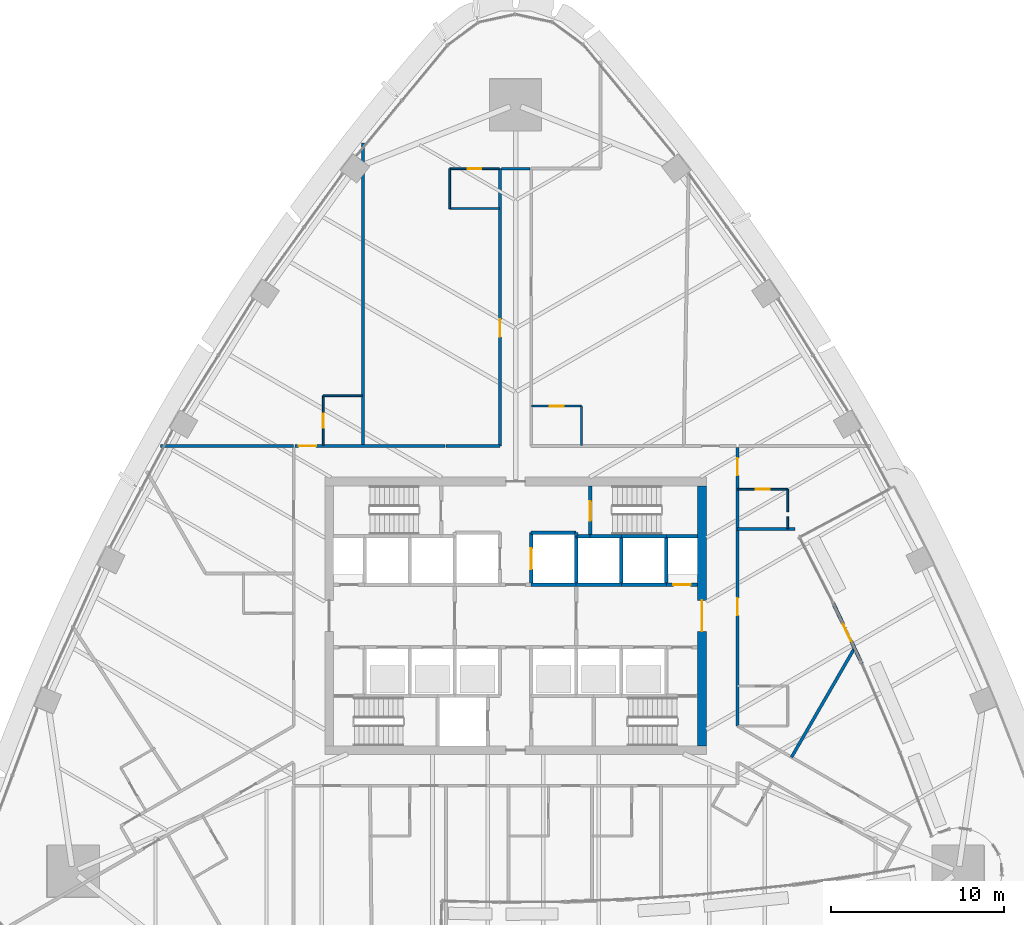
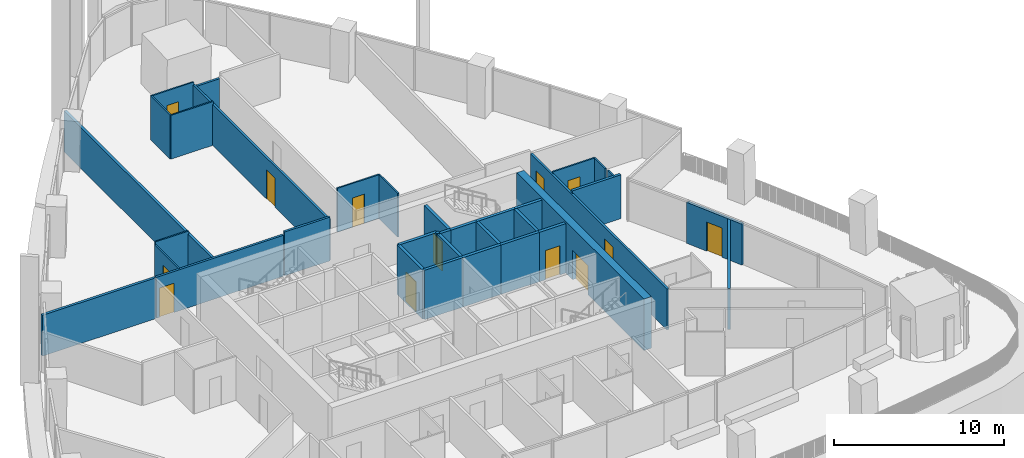
# One storey, part 14 of 22: 36 walls, 13 doors, 13 openings.
"""IFC4 building model written with IfcOpenShell, lengths in metres."""

from ifc_helpers import new_model, si_unit, direction, frame, frame_2d, origin, place, context, subcontext, project, spatial, rectangle, extrude, material, layer, layer_set, type_object, element, fill, save


model = new_model("IFC4")

# Units and contexts
model_context = context("Model", 3, precision=1e-05, world=origin(), true_north=direction((0.0, 1.0)))
body_context = subcontext(model_context, "Body", "Model", "MODEL_VIEW")
ifc_project = project(units=[si_unit("LENGTHUNIT", "METRE"), si_unit("AREAUNIT", "SQUARE_METRE"), si_unit("VOLUMEUNIT", "CUBIC_METRE"), si_unit("PLANEANGLEUNIT", "RADIAN"), si_unit("MASSUNIT", "GRAM", prefix="KILO")], contexts=[model_context])

# Site, building, storey
site_placement = place(None, origin())
site = spatial("IfcSite", under=ifc_project, at=site_placement, CompositionType="ELEMENT")
building_placement = place(site_placement, origin())
building = spatial("IfcBuilding", under=site, at=building_placement, Name="Sierra Prisma Convention Tower", CompositionType="ELEMENT")
storey_placement = place(building_placement, frame((0.0, 0.0, 103.5)))
storey = spatial("IfcBuildingStorey", under=building, at=storey_placement, Name="L22", CompositionType="ELEMENT", Elevation=103.5)

# Wall, opening, door
ifc_material_1 = material(Name="Gypsum board partition", Category="gypsum")
ifc_layer_1 = layer(ifc_material_1, 0.10009765625)
ifc_layer_set_1 = layer_set([ifc_layer_1], Name="Bathroom partition 100")
wall_type_1 = type_object("IfcWallType", Name="Bathroom partition 100", PredefinedType="PARTITIONING", material=ifc_layer_set_1)
wall_1_placement = place(storey_placement, frame((-11.10009765625, 9.830078125, 0.0), z_axis=(0.0, 0.0, 1.0), x_axis=(0.0, 1.0, 0.0)))
wall_1 = element("IfcWall", 1, at=wall_1_placement, inside=storey, type_object=wall_type_1, Name="Partition L22 bath 7", PredefinedType="PARTITIONING", context=body_context, shape_type="SweptSolid", body=[
    extrude(rectangle(XDim=2.869873046875, YDim=0.10009765625, at=frame_2d((1.43505859375, 0.0))), origin(), (0.0, 0.0, 1.0), 2.947021484375),
])
opening_1_placement = place(wall_1_placement, frame((1.034912109375, 0.0, 0.0)))
opening_1 = element("IfcOpeningElement", 2, at=opening_1_placement, cuts=wall_1, Name="Opening L22-D007", PredefinedType="OPENING", context=body_context, shape_type="SweptSolid", body=[
    extrude(rectangle(XDim=0.800048828125, YDim=2.10009765625, at=frame_2d((0.39990234375, 1.050048828125))), frame((0.0, 0.050048828125, 0.0), z_axis=(0.0, -1.0, 0.0), x_axis=(1.0, 0.0, 0.0)), (0.0, 0.0, 1.0), 0.10009765625),
])
ifc_material_2 = material(Name="Solid core timber door leaf", Category="wood")
door_type_1 = type_object("IfcDoorType", Name="Door 800x2100 plain", OperationType="SINGLE_SWING_LEFT", PredefinedType="DOOR", material=ifc_material_2)
door_1_placement = place(opening_1_placement, origin())
door_1 = element("IfcDoor", 3, at=door_1_placement, inside=storey, type_object=door_type_1, Name="Door L22 9", OperationType="SINGLE_SWING_RIGHT", OverallHeight=2.10009765625, OverallWidth=0.800048828125, PredefinedType="DOOR", context=body_context, shape_type="SweptSolid", body=[
    extrude(rectangle(XDim=0.800048828125, YDim=2.10009765625, at=frame_2d((0.39990234375, 1.050048828125))), frame((0.0, 0.02490234375, 0.0), z_axis=(0.0, -1.0, 0.0), x_axis=(1.0, 0.0, 0.0)), (0.0, 0.0, 1.0), 0.050048828125),
])
fill(opening_1, door_1)

# Walls
wall_2_placement = place(storey_placement, frame((-11.10009765625, 12.699951171875, 0.0), z_axis=(0.0, 0.0, 1.0), x_axis=(1.0, 0.0, 0.0)))
element("IfcWall", 4, at=wall_2_placement, inside=storey, type_object=wall_type_1, Name="Partition L22 bath 8", PredefinedType="PARTITIONING", context=body_context, shape_type="SweptSolid", body=[
    extrude(rectangle(XDim=2.27001953125, YDim=0.10009765625, at=frame_2d((1.135009765625, 0.0))), origin(), (0.0, 0.0, 1.0), 3.14990234375),
])
wall_3_placement = place(storey_placement, frame((-0.929931640625, 23.49853515625, 0.0), z_axis=(0.0, 0.0, 1.0), x_axis=(-1.0, 0.0, 0.0)))
element("IfcWall", 5, at=wall_3_placement, inside=storey, type_object=wall_type_1, Name="Partition L22 bath 11", PredefinedType="PARTITIONING", context=body_context, shape_type="SweptSolid", body=[
    extrude(rectangle(XDim=2.8701171875, YDim=0.10009765625, at=frame_2d((1.43505859375, 0.0))), origin(), (0.0, 0.0, 1.0), 3.14990234375),
])
wall_4_placement = place(storey_placement, frame((-3.800048828125, 23.49853515625, 0.0), z_axis=(0.0, 0.0, 1.0), x_axis=(0.0, 1.0, 0.0)))
element("IfcWall", 6, at=wall_4_placement, inside=storey, type_object=wall_type_1, Name="Partition L22 bath 12", PredefinedType="PARTITIONING", context=body_context, shape_type="SweptSolid", body=[
    extrude(rectangle(XDim=2.300048828125, YDim=0.10009765625, at=frame_2d((1.14990234375, 0.0))), origin(), (0.0, 0.0, 1.0), 3.14990234375),
])

# Wall, opening, door
wall_5_placement = place(storey_placement, frame((-3.800048828125, 25.798583984375, 0.0), z_axis=(0.0, 0.0, 1.0), x_axis=(1.0, 0.0, 0.0)))
wall_5 = element("IfcWall", 7, at=wall_5_placement, inside=storey, type_object=wall_type_1, Name="Partition L22 bath 13", PredefinedType="PARTITIONING", context=body_context, shape_type="SweptSolid", body=[
    extrude(rectangle(XDim=2.8701171875, YDim=0.10009765625, at=frame_2d((1.43505859375, 0.0))), origin(), (0.0, 0.0, 1.0), 3.14990234375),
])
opening_2_placement = place(wall_5_placement, frame((1.034912109375, 0.0, 0.0)))
opening_2 = element("IfcOpeningElement", 8, at=opening_2_placement, cuts=wall_5, Name="Opening L22-D006", PredefinedType="OPENING", context=body_context, shape_type="SweptSolid", body=[
    extrude(rectangle(XDim=0.800048828125, YDim=2.10009765625, at=frame_2d((0.39990234375, 1.050048828125))), frame((0.0, 0.050048828125, 0.0), z_axis=(0.0, -1.0, 0.0), x_axis=(1.0, 0.0, 0.0)), (0.0, 0.0, 1.0), 0.10009765625),
])
door_2_placement = place(opening_2_placement, origin())
door_2 = element("IfcDoor", 9, at=door_2_placement, inside=storey, type_object=door_type_1, Name="Door L22 7", OperationType="SINGLE_SWING_LEFT", OverallHeight=2.10009765625, OverallWidth=0.800048828125, PredefinedType="DOOR", context=body_context, shape_type="SweptSolid", body=[
    extrude(rectangle(XDim=0.800048828125, YDim=2.10009765625, at=frame_2d((0.39990234375, 1.050048828125))), frame((0.0, 0.02490234375, 0.0), z_axis=(0.0, -1.0, 0.0), x_axis=(1.0, 0.0, 0.0)), (0.0, 0.0, 1.0), 0.050048828125),
])
fill(opening_2, door_2)

wall_6_placement = place(storey_placement, frame((0.929931640625, 12.10009765625, 0.0), z_axis=(0.0, 0.0, 1.0), x_axis=(1.0, 0.0, 0.0)))
wall_6 = element("IfcWall", 10, at=wall_6_placement, inside=storey, type_object=wall_type_1, Name="Partition L22 bath 16", PredefinedType="PARTITIONING", context=body_context, shape_type="SweptSolid", body=[
    extrude(rectangle(XDim=2.8701171875, YDim=0.10009765625, at=frame_2d((1.43505859375, 0.0))), origin(), (0.0, 0.0, 1.0), 3.14990234375),
])
opening_3_placement = place(wall_6_placement, frame((1.034912109375, 0.0, 0.0)))
opening_3 = element("IfcOpeningElement", 11, at=opening_3_placement, cuts=wall_6, Name="Opening L22-D005", PredefinedType="OPENING", context=body_context, shape_type="SweptSolid", body=[
    extrude(rectangle(XDim=0.800048828125, YDim=2.10009765625, at=frame_2d((0.39990234375, 1.050048828125))), frame((0.0, 0.050048828125, 0.0), z_axis=(0.0, -1.0, 0.0), x_axis=(1.0, 0.0, 0.0)), (0.0, 0.0, 1.0), 0.10009765625),
])
door_3_placement = place(opening_3_placement, origin())
door_3 = element("IfcDoor", 12, at=door_3_placement, inside=storey, type_object=door_type_1, Name="Door L22 5", OperationType="SINGLE_SWING_RIGHT", OverallHeight=2.10009765625, OverallWidth=0.800048828125, PredefinedType="DOOR", context=body_context, shape_type="SweptSolid", body=[
    extrude(rectangle(XDim=0.800048828125, YDim=2.10009765625, at=frame_2d((0.39990234375, 1.050048828125))), frame((0.0, 0.02490234375, 0.0), z_axis=(0.0, -1.0, 0.0), x_axis=(1.0, 0.0, 0.0)), (0.0, 0.0, 1.0), 0.050048828125),
])
fill(opening_3, door_3)

# Wall
wall_7_placement = place(storey_placement, frame((3.800048828125, 12.10009765625, 0.0), z_axis=(0.0, 0.0, 1.0), x_axis=(0.0, -1.0, 0.0)))
element("IfcWall", 13, at=wall_7_placement, inside=storey, type_object=wall_type_1, Name="Partition L22 bath 17", PredefinedType="PARTITIONING", context=body_context, shape_type="SweptSolid", body=[
    extrude(rectangle(XDim=2.27001953125, YDim=0.10009765625, at=frame_2d((1.135009765625, 0.0))), origin(), (0.0, 0.0, 1.0), 3.14990234375),
])

# Wall, opening, door
wall_8_placement = place(storey_placement, frame((12.830078125, 7.300048828125, 0.0), z_axis=(0.0, 0.0, 1.0), x_axis=(1.0, 0.0, 0.0)))
wall_8 = element("IfcWall", 14, at=wall_8_placement, inside=storey, type_object=wall_type_1, Name="Partition L22 bath 26", PredefinedType="PARTITIONING", context=body_context, shape_type="SweptSolid", body=[
    extrude(rectangle(XDim=2.869873046875, YDim=0.10009765625, at=frame_2d((1.43505859375, 0.0))), origin(), (0.0, 0.0, 1.0), 3.093017578125),
])
opening_4_placement = place(wall_8_placement, frame((1.034912109375, 0.0, 0.0)))
opening_4 = element("IfcOpeningElement", 15, at=opening_4_placement, cuts=wall_8, Name="Opening L22-D004", PredefinedType="OPENING", context=body_context, shape_type="SweptSolid", body=[
    extrude(rectangle(XDim=0.800048828125, YDim=2.10009765625, at=frame_2d((0.39990234375, 1.050048828125))), frame((0.0, 0.050048828125, 0.0), z_axis=(0.0, -1.0, 0.0), x_axis=(1.0, 0.0, 0.0)), (0.0, 0.0, 1.0), 0.10009765625),
])
door_4_placement = place(opening_4_placement, origin())
door_4 = element("IfcDoor", 16, at=door_4_placement, inside=storey, type_object=door_type_1, Name="Door L22 2", OperationType="SINGLE_SWING_LEFT", OverallHeight=2.10009765625, OverallWidth=0.800048828125, PredefinedType="DOOR", context=body_context, shape_type="SweptSolid", body=[
    extrude(rectangle(XDim=0.800048828125, YDim=2.10009765625, at=frame_2d((0.39990234375, 1.050048828125))), frame((0.0, 0.02490234375, 0.0), z_axis=(0.0, -1.0, 0.0), x_axis=(1.0, 0.0, 0.0)), (0.0, 0.0, 1.0), 0.050048828125),
])
fill(opening_4, door_4)

# Walls
wall_9_placement = place(storey_placement, frame((15.699951171875, 7.300048828125, 0.0), z_axis=(0.0, 0.0, 1.0), x_axis=(0.0, -1.0, 0.0)))
element("IfcWall", 17, at=wall_9_placement, inside=storey, type_object=wall_type_1, Name="Partition L22 bath 27", PredefinedType="PARTITIONING", context=body_context, shape_type="SweptSolid", body=[
    extrude(rectangle(XDim=1.287841796875, YDim=0.10009765625, at=frame_2d((0.64404296875, 0.0))), origin(), (0.0, 0.0, 1.0), 3.093017578125),
])
wall_10_placement = place(storey_placement, frame((15.699951171875, 5.717041015625, 0.0), z_axis=(0.0, 0.0, 1.0), x_axis=(0.0, -1.0, 0.0)))
element("IfcWall", 18, at=wall_10_placement, inside=storey, type_object=wall_type_1, Name="Partition L22 bath 28", PredefinedType="PARTITIONING", context=body_context, shape_type="SweptSolid", body=[
    extrude(rectangle(XDim=0.68701171875, YDim=0.10009765625, at=frame_2d((0.343505859375, 0.0))), origin(), (0.0, 0.0, 1.0), 3.14990234375),
])
ifc_material_3 = material(Name="Concrete C30/37", Category="concrete")
ifc_layer_2 = layer(ifc_material_3, 0.199951171875)
ifc_layer_set_2 = layer_set([ifc_layer_2], Name="Core wall RC 200 C30/37")
wall_type_2 = type_object("IfcWallType", Name="Core wall RC 200 C30/37", PredefinedType="SOLIDWALL", material=ifc_layer_set_2)
wall_11_placement = place(storey_placement, frame((3.5, 1.800048828125, 0.0), z_axis=(0.0, 0.0, 1.0), x_axis=(-1.0, 0.0, 0.0)))
element("IfcWall", 19, at=wall_11_placement, inside=storey, type_object=wall_type_2, Name="Core wall L22 39", PredefinedType="SOLIDWALL", context=body_context, shape_type="SweptSolid", body=[
    extrude(rectangle(XDim=2.60009765625, YDim=0.199951171875, at=frame_2d((1.300048828125, 0.0))), origin(), (0.0, 0.0, 1.0), 3.550048828125),
])
wall_12_placement = place(storey_placement, frame((3.5, 4.60009765625, 0.0), z_axis=(0.0, 0.0, 1.0), x_axis=(0.0, 1.0, 0.0)))
element("IfcWall", 20, at=wall_12_placement, inside=storey, type_object=wall_type_2, Name="Core wall L22 40", PredefinedType="SOLIDWALL", context=body_context, shape_type="SweptSolid", body=[
    extrude(rectangle(XDim=0.199951171875, YDim=0.199951171875, at=frame_2d((0.10009765625, 0.0))), origin(), (0.0, 0.0, 1.0), 3.550048828125),
])
wall_13_placement = place(storey_placement, frame((3.5, 4.800048828125, 0.0), z_axis=(0.0, 0.0, 1.0), x_axis=(-1.0, 0.0, 0.0)))
element("IfcWall", 21, at=wall_13_placement, inside=storey, type_object=wall_type_2, Name="Core wall L22 41", PredefinedType="SOLIDWALL", context=body_context, shape_type="SweptSolid", body=[
    extrude(rectangle(XDim=2.60009765625, YDim=0.199951171875, at=frame_2d((1.300048828125, 0.0))), origin(), (0.0, 0.0, 1.0), 3.550048828125),
])

# Wall, opening, door
wall_14_placement = place(storey_placement, frame((0.89990234375, 4.800048828125, 0.0), z_axis=(0.0, 0.0, 1.0), x_axis=(0.0, -1.0, 0.0)))
wall_14 = element("IfcWall", 22, at=wall_14_placement, inside=storey, type_object=wall_type_2, Name="Core wall L22 42", PredefinedType="SOLIDWALL", context=body_context, shape_type="SweptSolid", body=[
    extrude(rectangle(XDim=3.0, YDim=0.199951171875, at=frame_2d((1.5, 0.0))), origin(), (0.0, 0.0, 1.0), 3.550048828125),
])
opening_5_placement = place(wall_14_placement, frame((0.89990234375, 0.0, 0.0)))
opening_5 = element("IfcOpeningElement", 23, at=opening_5_placement, cuts=wall_14, Name="Opening L22-D023", PredefinedType="OPENING", context=body_context, shape_type="SweptSolid", body=[
    extrude(rectangle(XDim=1.199951171875, YDim=2.10009765625, at=frame_2d((0.60009765625, 1.050048828125))), frame((0.0, 0.10009765625, 0.0), z_axis=(0.0, -1.0, 0.0), x_axis=(1.0, 0.0, 0.0)), (0.0, 0.0, 1.0), 0.199951171875),
])
ifc_material_4 = material(Name="Steel fire door leaf", Category="steel")
door_type_2 = type_object("IfcDoorType", Name="Door 1200x2100 EI 90 sliding lift landing", OperationType="SLIDING_TO_LEFT", PredefinedType="DOOR", material=ifc_material_4)
door_5_placement = place(opening_5_placement, origin())
door_5 = element("IfcDoor", 24, at=door_5_placement, inside=storey, type_object=door_type_2, Name="Door L22 38", OperationType="SLIDING_TO_RIGHT", OverallHeight=2.10009765625, OverallWidth=1.199951171875, PredefinedType="DOOR", context=body_context, shape_type="SweptSolid", body=[
    extrude(rectangle(XDim=1.199951171875, YDim=2.10009765625, at=frame_2d((0.60009765625, 1.050048828125))), frame((0.0, 0.02490234375, 0.0), z_axis=(0.0, -1.0, 0.0), x_axis=(1.0, 0.0, 0.0)), (0.0, 0.0, 1.0), 0.050048828125),
])
fill(opening_5, door_5)

# Walls
wall_15_placement = place(storey_placement, frame((6.10009765625, 1.800048828125, 0.0), z_axis=(0.0, 0.0, 1.0), x_axis=(-1.0, 0.0, 0.0)))
element("IfcWall", 25, at=wall_15_placement, inside=storey, type_object=wall_type_2, Name="Core wall L22 47", PredefinedType="SOLIDWALL", context=body_context, shape_type="SweptSolid", body=[
    extrude(rectangle(XDim=2.60009765625, YDim=0.199951171875, at=frame_2d((1.300048828125, 0.0))), origin(), (0.0, 0.0, 1.0), 3.550048828125),
])
wall_16_placement = place(storey_placement, frame((3.5, 1.800048828125, 0.0), z_axis=(0.0, 0.0, 1.0), x_axis=(0.0, 1.0, 0.0)))
element("IfcWall", 26, at=wall_16_placement, inside=storey, type_object=wall_type_2, Name="Core wall L22 48", PredefinedType="SOLIDWALL", context=body_context, shape_type="SweptSolid", body=[
    extrude(rectangle(XDim=2.800048828125, YDim=0.199951171875, at=frame_2d((1.39990234375, 0.0))), origin(), (0.0, 0.0, 1.0), 3.550048828125),
])
wall_17_placement = place(storey_placement, frame((4.300048828125, 4.60009765625, 0.0), z_axis=(0.0, 0.0, 1.0), x_axis=(-1.0, 0.0, 0.0)))
element("IfcWall", 27, at=wall_17_placement, inside=storey, type_object=wall_type_2, Name="Core wall L22 49", PredefinedType="SOLIDWALL", context=body_context, shape_type="SweptSolid", body=[
    extrude(rectangle(XDim=0.800048828125, YDim=0.199951171875, at=frame_2d((0.39990234375, 0.0))), origin(), (0.0, 0.0, 1.0), 3.550048828125),
])
wall_18_placement = place(storey_placement, frame((6.10009765625, 4.60009765625, 0.0), z_axis=(0.0, 0.0, 1.0), x_axis=(-1.0, 0.0, 0.0)))
element("IfcWall", 28, at=wall_18_placement, inside=storey, type_object=wall_type_2, Name="Core wall L22 50", PredefinedType="SOLIDWALL", context=body_context, shape_type="SweptSolid", body=[
    extrude(rectangle(XDim=1.800048828125, YDim=0.199951171875, at=frame_2d((0.89990234375, 0.0))), origin(), (0.0, 0.0, 1.0), 3.550048828125),
])

# Wall, opening, door
wall_19_placement = place(storey_placement, frame((4.300048828125, 7.5, 0.0), z_axis=(0.0, 0.0, 1.0), x_axis=(0.0, -1.0, 0.0)))
wall_19 = element("IfcWall", 29, at=wall_19_placement, inside=storey, type_object=wall_type_2, Name="Core wall L22 51", PredefinedType="SOLIDWALL", context=body_context, shape_type="SweptSolid", body=[
    extrude(rectangle(XDim=2.89990234375, YDim=0.199951171875, at=frame_2d((1.449951171875, 0.0))), origin(), (0.0, 0.0, 1.0), 3.550048828125),
])
opening_6_placement = place(wall_19_placement, frame((0.89990234375, 0.0, 0.0)))
opening_6 = element("IfcOpeningElement", 30, at=opening_6_placement, cuts=wall_19, Name="Opening L22-D036", PredefinedType="OPENING", context=body_context, shape_type="SweptSolid", body=[
    extrude(rectangle(XDim=1.10009765625, YDim=2.10009765625, at=frame_2d((0.550048828125, 1.050048828125))), frame((0.0, 0.10009765625, 0.0), z_axis=(0.0, -1.0, 0.0), x_axis=(1.0, 0.0, 0.0)), (0.0, 0.0, 1.0), 0.199951171875),
])
ifc_material_5 = material(Name="Steel fire door leaf", Category="steel")
door_type_3 = type_object("IfcDoorType", Name="Door 1100x2100 FD90S", OperationType="SINGLE_SWING_LEFT", PredefinedType="DOOR", material=ifc_material_5)
door_6_placement = place(opening_6_placement, origin())
door_6 = element("IfcDoor", 31, at=door_6_placement, inside=storey, type_object=door_type_3, Name="Door L22 51", OperationType="SINGLE_SWING_LEFT", OverallHeight=2.10009765625, OverallWidth=1.10009765625, PredefinedType="DOOR", context=body_context, shape_type="SweptSolid", body=[
    extrude(rectangle(XDim=1.10009765625, YDim=2.10009765625, at=frame_2d((0.550048828125, 1.050048828125))), frame((0.0, 0.02490234375, 0.0), z_axis=(0.0, -1.0, 0.0), x_axis=(1.0, 0.0, 0.0)), (0.0, 0.0, 1.0), 0.050048828125),
])
fill(opening_6, door_6)

# Walls
wall_20_placement = place(storey_placement, frame((8.699951171875, 1.800048828125, 0.0), z_axis=(0.0, 0.0, 1.0), x_axis=(-1.0, 0.0, 0.0)))
element("IfcWall", 32, at=wall_20_placement, inside=storey, type_object=wall_type_2, Name="Core wall L22 57", PredefinedType="SOLIDWALL", context=body_context, shape_type="SweptSolid", body=[
    extrude(rectangle(XDim=2.599853515625, YDim=0.199951171875, at=frame_2d((1.2998046875, 0.0))), origin(), (0.0, 0.0, 1.0), 3.550048828125),
])
wall_21_placement = place(storey_placement, frame((6.10009765625, 1.800048828125, 0.0), z_axis=(0.0, 0.0, 1.0), x_axis=(0.0, 1.0, 0.0)))
element("IfcWall", 33, at=wall_21_placement, inside=storey, type_object=wall_type_2, Name="Core wall L22 58", PredefinedType="SOLIDWALL", context=body_context, shape_type="SweptSolid", body=[
    extrude(rectangle(XDim=2.800048828125, YDim=0.199951171875, at=frame_2d((1.39990234375, 0.0))), origin(), (0.0, 0.0, 1.0), 3.550048828125),
])
wall_22_placement = place(storey_placement, frame((8.699951171875, 4.60009765625, 0.0), z_axis=(0.0, 0.0, 1.0), x_axis=(-1.0, 0.0, 0.0)))
element("IfcWall", 34, at=wall_22_placement, inside=storey, type_object=wall_type_2, Name="Core wall L22 59", PredefinedType="SOLIDWALL", context=body_context, shape_type="SweptSolid", body=[
    extrude(rectangle(XDim=2.599853515625, YDim=0.199951171875, at=frame_2d((1.2998046875, 0.0))), origin(), (0.0, 0.0, 1.0), 3.550048828125),
])

# Wall, opening, door
wall_23_placement = place(storey_placement, frame((10.5, 1.800048828125, 0.0), z_axis=(0.0, 0.0, 1.0), x_axis=(-1.0, 0.0, 0.0)))
wall_23 = element("IfcWall", 35, at=wall_23_placement, inside=storey, type_object=wall_type_2, Name="Core wall L22 63", PredefinedType="SOLIDWALL", context=body_context, shape_type="SweptSolid", body=[
    extrude(rectangle(XDim=1.800048828125, YDim=0.199951171875, at=frame_2d((0.89990234375, 0.0))), origin(), (0.0, 0.0, 1.0), 3.550048828125),
])
opening_7_placement = place(wall_23_placement, frame((0.39990234375, 0.0, 0.0)))
opening_7 = element("IfcOpeningElement", 36, at=opening_7_placement, cuts=wall_23, Name="Opening L22-D032", PredefinedType="OPENING", context=body_context, shape_type="SweptSolid", body=[
    extrude(rectangle(XDim=1.0, YDim=2.10009765625, at=frame_2d((0.5, 1.050048828125))), frame((0.0, 0.10009765625, 0.0), z_axis=(0.0, -1.0, 0.0), x_axis=(1.0, 0.0, 0.0)), (0.0, 0.0, 1.0), 0.199951171875),
])
ifc_material_6 = material(Name="Steel fire door leaf", Category="steel")
door_type_4 = type_object("IfcDoorType", Name="Door 1000x2100 FD60S", OperationType="SINGLE_SWING_LEFT", PredefinedType="DOOR", material=ifc_material_6)
door_7_placement = place(opening_7_placement, origin())
door_7 = element("IfcDoor", 37, at=door_7_placement, inside=storey, type_object=door_type_4, Name="Door L22 47", OperationType="SINGLE_SWING_LEFT", OverallHeight=2.10009765625, OverallWidth=1.0, PredefinedType="DOOR", context=body_context, shape_type="SweptSolid", body=[
    extrude(rectangle(XDim=1.0, YDim=2.10009765625, at=frame_2d((0.5, 1.050048828125))), frame((0.0, 0.02490234375, 0.0), z_axis=(0.0, -1.0, 0.0), x_axis=(1.0, 0.0, 0.0)), (0.0, 0.0, 1.0), 0.050048828125),
])
fill(opening_7, door_7)

# Walls
wall_24_placement = place(storey_placement, frame((8.699951171875, 4.60009765625, 0.0), z_axis=(0.0, 0.0, 1.0), x_axis=(0.0, -1.0, 0.0)))
element("IfcWall", 38, at=wall_24_placement, inside=storey, type_object=wall_type_2, Name="Core wall L22 64", PredefinedType="SOLIDWALL", context=body_context, shape_type="SweptSolid", body=[
    extrude(rectangle(XDim=2.800048828125, YDim=0.199951171875, at=frame_2d((1.39990234375, 0.0))), origin(), (0.0, 0.0, 1.0), 3.550048828125),
])
wall_25_placement = place(storey_placement, frame((10.5, 4.60009765625, 0.0), z_axis=(0.0, 0.0, 1.0), x_axis=(-1.0, 0.0, 0.0)))
element("IfcWall", 39, at=wall_25_placement, inside=storey, type_object=wall_type_2, Name="Core wall L22 65", PredefinedType="SOLIDWALL", context=body_context, shape_type="SweptSolid", body=[
    extrude(rectangle(XDim=1.800048828125, YDim=0.199951171875, at=frame_2d((0.89990234375, 0.0))), origin(), (0.0, 0.0, 1.0), 3.550048828125),
])

# Wall, opening, door
ifc_material_7 = material(Name="Concrete C60/75", Category="concrete")
ifc_layer_3 = layer(ifc_material_7, 0.5)
ifc_layer_set_3 = layer_set([ifc_layer_3], Name="Core wall RC 500 C60/75")
wall_type_3 = type_object("IfcWallType", Name="Core wall RC 500 C60/75", PredefinedType="SHEAR", material=ifc_layer_set_3)
wall_26_placement = place(storey_placement, frame((10.75, -7.5, 0.0), z_axis=(0.0, 0.0, 1.0), x_axis=(0.0, 1.0, 0.0)))
wall_26 = element("IfcWall", 40, at=wall_26_placement, inside=storey, type_object=wall_type_3, Name="Core wall E L22", PredefinedType="SHEAR", context=body_context, shape_type="SweptSolid", body=[
    extrude(rectangle(XDim=15.0, YDim=0.5, at=frame_2d((7.5, 0.0))), origin(), (0.0, 0.0, 1.0), 3.699951171875),
])
opening_8_placement = place(wall_26_placement, frame((6.60009765625, 0.0, 0.0)))
opening_8 = element("IfcOpeningElement", 41, at=opening_8_placement, cuts=wall_26, Name="Opening L22-D056", PredefinedType="OPENING", context=body_context, shape_type="SweptSolid", body=[
    extrude(rectangle(XDim=1.800048828125, YDim=2.10009765625, at=frame_2d((0.89990234375, 1.050048828125))), frame((0.0, 0.25, 0.0), z_axis=(0.0, -1.0, 0.0), x_axis=(1.0, 0.0, 0.0)), (0.0, 0.0, 1.0), 0.5),
])
ifc_material_8 = material(Name="Steel fire door leaf", Category="steel")
door_type_5 = type_object("IfcDoorType", Name="Door 1800x2100 FD60S", OperationType="DOUBLE_DOOR_SINGLE_SWING", PredefinedType="DOOR", material=ifc_material_8)
door_8_placement = place(opening_8_placement, origin())
door_8 = element("IfcDoor", 42, at=door_8_placement, inside=storey, type_object=door_type_5, Name="Door L22 54", OperationType="DOUBLE_DOOR_SINGLE_SWING", OverallHeight=2.10009765625, OverallWidth=1.800048828125, PredefinedType="DOOR", context=body_context, shape_type="SweptSolid", body=[
    extrude(rectangle(XDim=1.800048828125, YDim=2.10009765625, at=frame_2d((0.89990234375, 1.050048828125))), frame((0.0, 0.02490234375, 0.0), z_axis=(0.0, -1.0, 0.0), x_axis=(1.0, 0.0, 0.0)), (0.0, 0.0, 1.0), 0.050048828125),
])
fill(opening_8, door_8)

ifc_material_9 = material(Name="Gypsum board partition", Category="gypsum")
ifc_layer_4 = layer(ifc_material_9, 0.14990234375)
ifc_layer_set_4 = layer_set([ifc_layer_4], Name="Corridor wall 150 gypsum EI 60")
wall_type_4 = type_object("IfcWallType", Name="Corridor wall 150 gypsum EI 60", PredefinedType="PARTITIONING", material=ifc_layer_set_4)
wall_27_placement = place(storey_placement, frame((-4.080078125, 9.800048828125, 0.0), z_axis=(0.0, 0.0, 1.0), x_axis=(-1.0, 0.0, 0.0)))
wall_27 = element("IfcWall", 43, at=wall_27_placement, inside=storey, type_object=wall_type_4, Name="Partition L22 corr 7", PredefinedType="PARTITIONING", context=body_context, shape_type="SweptSolid", body=[
    extrude(rectangle(XDim=8.639892578125, YDim=0.14990234375, at=frame_2d((4.31982421875, 0.0))), origin(), (0.0, 0.0, 1.0), 2.947021484375),
])
opening_9_placement = place(wall_27_placement, frame((7.429931640625, 0.0, 0.0)))
opening_9 = element("IfcOpeningElement", 44, at=opening_9_placement, cuts=wall_27, Name="Opening L22-D042", PredefinedType="OPENING", context=body_context, shape_type="SweptSolid", body=[
    extrude(rectangle(XDim=1.0, YDim=2.10009765625, at=frame_2d((0.5, 1.050048828125))), frame((0.0, 0.074951171875, 0.0), z_axis=(0.0, -1.0, 0.0), x_axis=(1.0, 0.0, 0.0)), (0.0, 0.0, 1.0), 0.14990234375),
])
ifc_material_10 = material(Name="Steel fire door leaf", Category="steel")
door_type_6 = type_object("IfcDoorType", Name="Door 1000x2100 FD30S", OperationType="SINGLE_SWING_LEFT", PredefinedType="DOOR", material=ifc_material_10)
door_9_placement = place(opening_9_placement, origin())
door_9 = element("IfcDoor", 45, at=door_9_placement, inside=storey, type_object=door_type_6, Name="Door L22 8", OperationType="SINGLE_SWING_RIGHT", OverallHeight=2.10009765625, OverallWidth=1.0, PredefinedType="DOOR", context=body_context, shape_type="SweptSolid", body=[
    extrude(rectangle(XDim=1.0, YDim=2.10009765625, at=frame_2d((0.5, 1.050048828125))), frame((0.0, 0.02490234375, 0.0), z_axis=(0.0, -1.0, 0.0), x_axis=(1.0, 0.0, 0.0)), (0.0, 0.0, 1.0), 0.050048828125),
])
fill(opening_9, door_9)

wall_28_placement = place(storey_placement, frame((-0.89990234375, 25.798583984375, 0.0), z_axis=(0.0, 0.0, 1.0), x_axis=(0.0, -1.0, 0.0)))
wall_28 = element("IfcWall", 46, at=wall_28_placement, inside=storey, type_object=wall_type_4, Name="Partition L22 corr 8", PredefinedType="PARTITIONING", context=body_context, shape_type="SweptSolid", body=[
    extrude(rectangle(XDim=15.99853515625, YDim=0.14990234375, at=frame_2d((7.999267578125, 0.0))), origin(), (0.0, 0.0, 1.0), 2.947021484375),
])
opening_10_placement = place(wall_28_placement, frame((8.69921875, 0.0, 0.0)))
opening_10 = element("IfcOpeningElement", 47, at=opening_10_placement, cuts=wall_28, Name="Opening L22-D041", PredefinedType="OPENING", context=body_context, shape_type="SweptSolid", body=[
    extrude(rectangle(XDim=1.0, YDim=2.10009765625, at=frame_2d((0.5, 1.050048828125))), frame((0.0, 0.074951171875, 0.0), z_axis=(0.0, -1.0, 0.0), x_axis=(1.0, 0.0, 0.0)), (0.0, 0.0, 1.0), 0.14990234375),
])
door_10_placement = place(opening_10_placement, origin())
door_10 = element("IfcDoor", 48, at=door_10_placement, inside=storey, type_object=door_type_6, Name="Door L22 6", OperationType="SINGLE_SWING_RIGHT", OverallHeight=2.10009765625, OverallWidth=1.0, PredefinedType="DOOR", context=body_context, shape_type="SweptSolid", body=[
    extrude(rectangle(XDim=1.0, YDim=2.10009765625, at=frame_2d((0.5, 1.050048828125))), frame((0.0, 0.02490234375, 0.0), z_axis=(0.0, -1.0, 0.0), x_axis=(1.0, 0.0, 0.0)), (0.0, 0.0, 1.0), 0.050048828125),
])
fill(opening_10, door_10)

# Walls
wall_29_placement = place(storey_placement, frame((-0.89990234375, 9.800048828125, 0.0), z_axis=(0.0, 0.0, 1.0), x_axis=(-1.0, 0.0, 0.0)))
element("IfcWall", 49, at=wall_29_placement, inside=storey, type_object=wall_type_4, Name="Partition L22 corr 9", PredefinedType="PARTITIONING", context=body_context, shape_type="SweptSolid", body=[
    extrude(rectangle(XDim=3.10009765625, YDim=0.14990234375, at=frame_2d((1.550048828125, 0.0))), origin(), (0.0, 0.0, 1.0), 3.14990234375),
])
wall_30_placement = place(storey_placement, frame((0.820068359375, 25.798583984375, 0.0), z_axis=(0.0, 0.0, 1.0), x_axis=(-1.0, 0.0, 0.0)))
element("IfcWall", 50, at=wall_30_placement, inside=storey, type_object=wall_type_4, Name="Partition L22 corr 10", PredefinedType="PARTITIONING", context=body_context, shape_type="SweptSolid", body=[
    extrude(rectangle(XDim=1.64013671875, YDim=0.14990234375, at=frame_2d((0.820068359375, 0.0))), origin(), (0.0, 0.0, 1.0), 2.797119140625),
])

# Wall, openings, doors
wall_31_placement = place(storey_placement, frame((12.800048828125, -6.350830078125, 0.0), z_axis=(0.0, 0.0, 1.0), x_axis=(0.0, 1.0, 0.0)))
wall_31 = element("IfcWall", 51, at=wall_31_placement, inside=storey, type_object=wall_type_4, Name="Partition L22 corr 18", PredefinedType="PARTITIONING", context=body_context, shape_type="SweptSolid", body=[
    extrude(rectangle(XDim=16.07080078125, YDim=0.14990234375, at=frame_2d((8.035400390625, 0.0))), origin(), (0.0, 0.0, 1.0), 2.947021484375),
])
opening_11_placement = place(wall_31_placement, frame((14.450927734375, 0.0, 0.0)))
opening_11 = element("IfcOpeningElement", 52, at=opening_11_placement, cuts=wall_31, Name="Opening L22-D038", PredefinedType="OPENING", context=body_context, shape_type="SweptSolid", body=[
    extrude(rectangle(XDim=1.0, YDim=2.10009765625, at=frame_2d((0.5, 1.050048828125))), frame((0.0, 0.074951171875, 0.0), z_axis=(0.0, -1.0, 0.0), x_axis=(1.0, 0.0, 0.0)), (0.0, 0.0, 1.0), 0.14990234375),
])
opening_12_placement = place(wall_31_placement, frame((6.37548828125, 0.0, 0.0)))
opening_12 = element("IfcOpeningElement", 53, at=opening_12_placement, cuts=wall_31, Name="Opening L22-D055", PredefinedType="OPENING", context=body_context, shape_type="SweptSolid", body=[
    extrude(rectangle(XDim=1.0, YDim=2.10009765625, at=frame_2d((0.5, 1.050048828125))), frame((0.0, 0.074951171875, 0.0), z_axis=(0.0, -1.0, 0.0), x_axis=(1.0, 0.0, 0.0)), (0.0, 0.0, 1.0), 0.14990234375),
])
door_11_placement = place(opening_11_placement, origin())
door_11 = element("IfcDoor", 54, at=door_11_placement, inside=storey, type_object=door_type_6, Name="Door L22 1", OperationType="SINGLE_SWING_LEFT", OverallHeight=2.10009765625, OverallWidth=1.0, PredefinedType="DOOR", context=body_context, shape_type="SweptSolid", body=[
    extrude(rectangle(XDim=1.0, YDim=2.10009765625, at=frame_2d((0.5, 1.050048828125))), frame((0.0, 0.02490234375, 0.0), z_axis=(0.0, -1.0, 0.0), x_axis=(1.0, 0.0, 0.0)), (0.0, 0.0, 1.0), 0.050048828125),
])
fill(opening_11, door_11)
door_12_placement = place(opening_12_placement, origin())
door_12 = element("IfcDoor", 55, at=door_12_placement, inside=storey, type_object=door_type_6, Name="Door L22 29", OperationType="SINGLE_SWING_LEFT", OverallHeight=2.10009765625, OverallWidth=1.0, PredefinedType="DOOR", context=body_context, shape_type="SweptSolid", body=[
    extrude(rectangle(XDim=1.0, YDim=2.10009765625, at=frame_2d((0.5, 1.050048828125))), frame((0.0, 0.02490234375, 0.0), z_axis=(0.0, -1.0, 0.0), x_axis=(1.0, 0.0, 0.0)), (0.0, 0.0, 1.0), 0.050048828125),
])
fill(opening_12, door_12)

# Walls
ifc_material_11 = material(Name="Acoustic gypsum board partition", Category="gypsum")
ifc_layer_5 = layer(ifc_material_11, 0.175048828125)
ifc_layer_set_5 = layer_set([ifc_layer_5], Name="Guest room party wall 175 acoustic EI 60")
wall_type_5 = type_object("IfcWallType", Name="Guest room party wall 175 acoustic EI 60", PredefinedType="PARTITIONING", material=ifc_layer_set_5)
wall_32_placement = place(storey_placement, frame((-12.800048828125, 9.800048828125, 0.0), z_axis=(0.0, 0.0, 1.0), x_axis=(-1.0, 0.0, 0.0)))
element("IfcWall", 56, at=wall_32_placement, inside=storey, type_object=wall_type_5, Name="Partition L22 hparty 5", PredefinedType="PARTITIONING", context=body_context, shape_type="SweptSolid", body=[
    extrude(rectangle(XDim=7.677001953125, YDim=0.175048828125, at=frame_2d((3.83837890625, 0.0))), origin(), (0.0, 0.0, 1.0), 2.93408203125),
])
wall_33_placement = place(storey_placement, frame((-8.800048828125, 9.800048828125, 0.0), z_axis=(0.0, 0.0, 1.0), x_axis=(0.0, 1.0, 0.0)))
element("IfcWall", 57, at=wall_33_placement, inside=storey, type_object=wall_type_5, Name="Partition L22 hparty 9", PredefinedType="PARTITIONING", context=body_context, shape_type="SweptSolid", body=[
    extrude(rectangle(XDim=17.4775390625, YDim=0.175048828125, at=frame_2d((8.73876953125, 0.0))), origin(), (0.0, 0.0, 1.0), 2.947021484375),
])
wall_34_placement = place(storey_placement, frame((16.1201171875, 5.0, 0.0), z_axis=(0.0, 0.0, 1.0), x_axis=(-1.0, 0.0, 0.0)))
element("IfcWall", 58, at=wall_34_placement, inside=storey, type_object=wall_type_5, Name="Partition L22 hparty 18", PredefinedType="PARTITIONING", context=body_context, shape_type="SweptSolid", body=[
    extrude(rectangle(XDim=3.320068359375, YDim=0.175048828125, at=frame_2d((1.66015625, 0.0))), origin(), (0.0, 0.0, 1.0), 3.14990234375),
])
wall_35_placement = place(storey_placement, frame((19.5537109375, -1.853271484375, 0.0), z_axis=(0.0, 0.0, 1.0), x_axis=(-0.500006290091, -0.866021772168, 0.0)))
element("IfcWall", 59, at=wall_35_placement, inside=storey, type_object=wall_type_5, Name="Partition L22 hparty 20", PredefinedType="PARTITIONING", context=body_context, shape_type="SweptSolid", body=[
    extrude(rectangle(XDim=7.27197265625, YDim=0.175048828125, at=frame_2d((3.635986328125, 0.0))), origin(), (0.0, 0.0, 1.0), 2.947021484375),
])

# Wall, opening, door
ifc_material_12 = material(Name="Precast concrete C40/50", Category="concrete")
ifc_layer_6 = layer(ifc_material_12, 0.199951171875)
ifc_layer_set_6 = layer_set([ifc_layer_6], Name="Terrace door pier")
wall_type_6 = type_object("IfcWallType", Name="Terrace door pier", PredefinedType="SOLIDWALL", material=ifc_layer_set_6)
wall_36_placement = place(storey_placement, frame((19.974853515625, -2.759033203125, 0.0), z_axis=(0.0, 0.0, 1.0), x_axis=(-0.427856133111, 0.903846850611, 0.0)))
wall_36 = element("IfcWall", 60, at=wall_36_placement, inside=storey, type_object=wall_type_6, Name="Terrace door bay L22.35", PredefinedType="SOLIDWALL", context=body_context, shape_type="SweptSolid", body=[
    extrude(rectangle(XDim=3.96630859375, YDim=0.199951171875, at=frame_2d((1.983154296875, 0.0))), origin(), (0.0, 0.0, 1.0), 2.947021484375),
])
opening_13_placement = place(wall_36_placement, frame((1.43310546875, 0.0, 0.0)))
opening_13 = element("IfcOpeningElement", 61, at=opening_13_placement, cuts=wall_36, Name="Opening L22-D002", PredefinedType="OPENING", context=body_context, shape_type="SweptSolid", body=[
    extrude(rectangle(XDim=1.10009765625, YDim=2.10009765625, at=frame_2d((0.550048828125, 1.050048828125))), frame((0.0, 0.10009765625, 0.0), z_axis=(0.0, -1.0, 0.0), x_axis=(1.0, 0.0, 0.0)), (0.0, 0.0, 1.0), 0.199951171875),
])
ifc_material_13 = material(Name="Bronze anodised aluminium and glass", Category="aluminium")
door_type_7 = type_object("IfcDoorType", Name="Terrace door 1100 x 2100", OperationType="SINGLE_SWING_LEFT", PredefinedType="DOOR", material=ifc_material_13)
door_13_placement = place(opening_13_placement, origin())
door_13 = element("IfcDoor", 62, at=door_13_placement, inside=storey, type_object=door_type_7, Name="Terrace door L22.35", OperationType="SINGLE_SWING_LEFT", OverallHeight=2.10009765625, OverallWidth=1.10009765625, PredefinedType="DOOR", context=body_context, shape_type="SweptSolid", body=[
    extrude(rectangle(XDim=1.10009765625, YDim=2.10009765625, at=frame_2d((0.550048828125, 1.050048828125))), frame((0.0, 0.02490234375, 0.0), z_axis=(0.0, -1.0, 0.0), x_axis=(1.0, 0.0, 0.0)), (0.0, 0.0, 1.0), 0.050048828125),
])
fill(opening_13, door_13)

save(model, "model.ifc")
